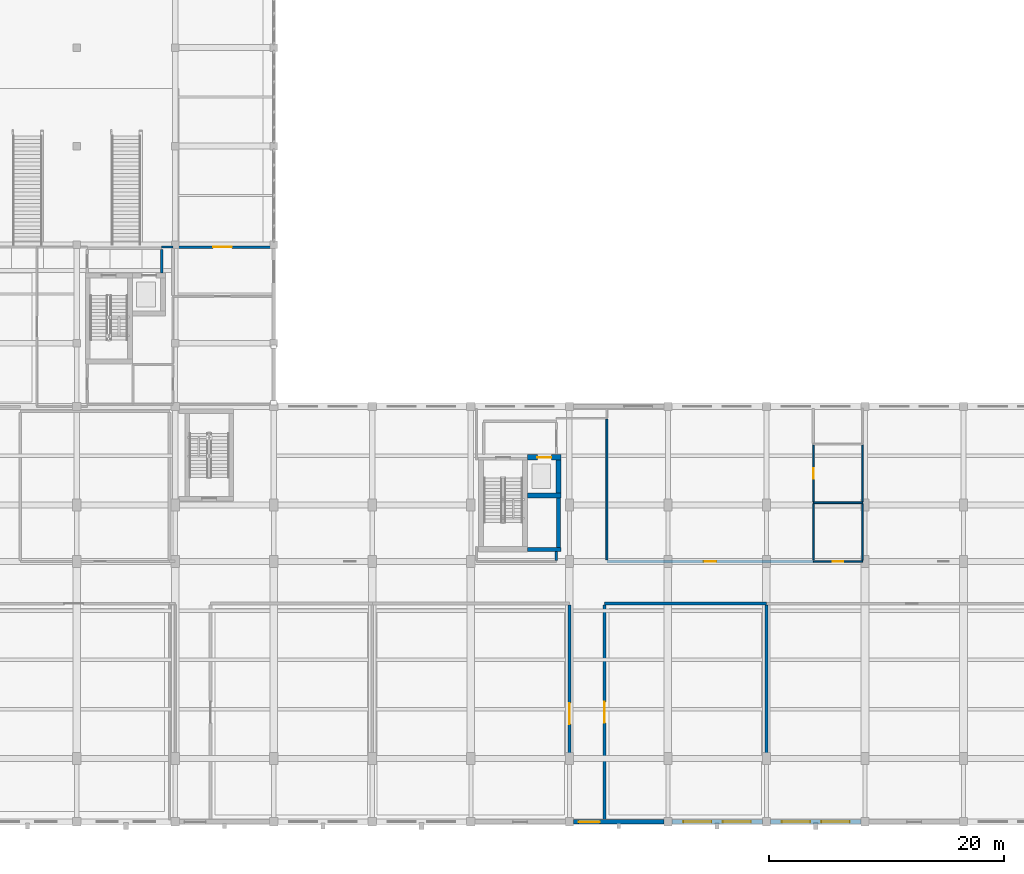
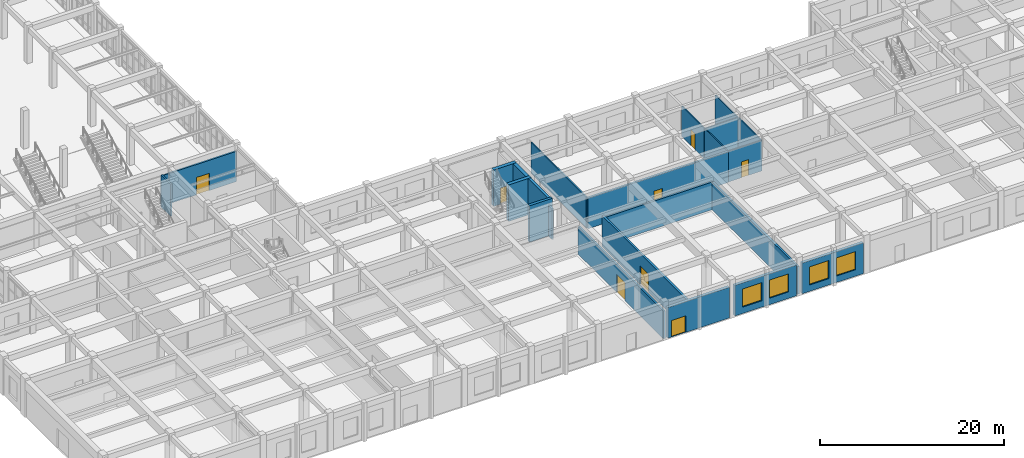
# One storey, part 58 of 80: 24 walls, 8 doors, 4 windows, 12 openings.
"""IFC4 building model written with IfcOpenShell, lengths in metres."""

from ifc_helpers import new_model, si_unit, direction, frame, frame_2d, origin, place, context, subcontext, project, spatial, rectangle, extrude, material, layer, layer_set, type_object, element, fill, save


model = new_model("IFC4")

# Units and contexts
model_context = context("Model", 3, precision=1e-05, world=origin(), true_north=direction((0.0, 1.0)))
body_context = subcontext(model_context, "Body", "Model", "MODEL_VIEW")
ifc_project = project(units=[si_unit("LENGTHUNIT", "METRE"), si_unit("AREAUNIT", "SQUARE_METRE"), si_unit("VOLUMEUNIT", "CUBIC_METRE"), si_unit("PLANEANGLEUNIT", "RADIAN"), si_unit("MASSUNIT", "GRAM", prefix="KILO")], contexts=[model_context])

# Site, building, storey
site_placement = place(None, origin())
site = spatial("IfcSite", under=ifc_project, at=site_placement, CompositionType="ELEMENT")
building_placement = place(site_placement, origin())
building = spatial("IfcBuilding", under=site, at=building_placement, Name="Krzemoval Escarpment Law Courts", CompositionType="ELEMENT")
storey_placement = place(building_placement, origin())
storey = spatial("IfcBuildingStorey", under=building, at=storey_placement, Name="L00", CompositionType="ELEMENT", Elevation=0.0)

# Wall, openings, windows
ifc_material_1 = material(Name="Precast concrete C40/50", Category="concrete")
ifc_layer_1 = layer(ifc_material_1, 0.360107421875)
ifc_layer_set_1 = layer_set([ifc_layer_1], Name="Precast concrete C40/50")
wall_type_1 = type_object("IfcWallType", Name="WL-EXT-360", PredefinedType="SOLIDWALL", material=ifc_layer_set_1)
wall_1_placement = place(storey_placement, frame((92.050048828125, 0.0, 0.0), z_axis=(0.0, 0.0, 1.0), x_axis=(-1.0, 0.0, 0.0)))
wall_1 = element("IfcWall", 1, at=wall_1_placement, inside=storey, type_object=wall_type_1, Name="Exterior Wall EW-L00-0136", PredefinedType="SOLIDWALL", context=body_context, shape_type="SweptSolid", body=[
    extrude(rectangle(XDim=7.699951171875, YDim=0.360107421875, at=frame_2d((3.85009765625, 0.0))), origin(), (0.0, 0.0, 1.0), 4.070068359375),
])
opening_1_placement = place(wall_1_placement, frame((0.967041015625, 0.0, 0.85009765625)))
opening_1 = element("IfcOpeningElement", 2, at=opening_1_placement, cuts=wall_1, Name="Opening WN-L00-0090", PredefinedType="OPENING", context=body_context, shape_type="SweptSolid", body=[
    extrude(rectangle(XDim=2.39990234375, YDim=2.39990234375, at=frame_2d((1.199951171875, 1.199951171875))), frame((0.0, 0.19505, 0.0), z_axis=(0.0, -1.0, 0.0), x_axis=(1.0, 0.0, 0.0)), (0.0, 0.0, 1.0), 0.39011),
])
opening_2_placement = place(wall_1_placement, frame((4.3330078125, 0.0, 0.85009765625)))
opening_2 = element("IfcOpeningElement", 3, at=opening_2_placement, cuts=wall_1, Name="Opening WN-L00-0091", PredefinedType="OPENING", context=body_context, shape_type="SweptSolid", body=[
    extrude(rectangle(XDim=2.39990234375, YDim=2.39990234375, at=frame_2d((1.199951171875, 1.199951171875))), frame((0.0, 0.19505, 0.0), z_axis=(0.0, -1.0, 0.0), x_axis=(1.0, 0.0, 0.0)), (0.0, 0.0, 1.0), 0.39011),
])
ifc_material_2 = material(Name="Thermally Broken Aluminium Frame with Triple Low-E Acoustic Glass", Category="aluminium")
window_type = type_object("IfcWindowType", Name="WN-2400x2400", PartitioningType="SINGLE_PANEL", PredefinedType="WINDOW", material=ifc_material_2)
window_1_placement = place(opening_1_placement, origin())
window_1 = element("IfcWindow", 4, at=window_1_placement, inside=storey, type_object=window_type, Name="Facade Window WN-L00-0090", OverallHeight=2.39990234375, OverallWidth=2.39990234375, PartitioningType="SINGLE_PANEL", PredefinedType="WINDOW", context=body_context, shape_type="SweptSolid", body=[
    extrude(rectangle(XDim=2.39990234375, YDim=2.39990234375, at=frame_2d((1.199951171875, 1.199951171875))), frame((0.0, 0.030029296875, 0.0), z_axis=(0.0, -1.0, 0.0), x_axis=(1.0, 0.0, 0.0)), (0.0, 0.0, 1.0), 0.06005859375),
])
fill(opening_1, window_1)
window_2_placement = place(opening_2_placement, origin())
window_2 = element("IfcWindow", 5, at=window_2_placement, inside=storey, type_object=window_type, Name="Facade Window WN-L00-0091", OverallHeight=2.39990234375, OverallWidth=2.39990234375, PartitioningType="SINGLE_PANEL", PredefinedType="WINDOW", context=body_context, shape_type="SweptSolid", body=[
    extrude(rectangle(XDim=2.39990234375, YDim=2.39990234375, at=frame_2d((1.199951171875, 1.199951171875))), frame((0.0, 0.030029296875, 0.0), z_axis=(0.0, -1.0, 0.0), x_axis=(1.0, 0.0, 0.0)), (0.0, 0.0, 1.0), 0.06005859375),
])
fill(opening_2, window_2)

wall_2_placement = place(storey_placement, frame((83.64990234375, 0.0, 0.0), z_axis=(0.0, 0.0, 1.0), x_axis=(-1.0, 0.0, 0.0)))
wall_2 = element("IfcWall", 6, at=wall_2_placement, inside=storey, type_object=wall_type_1, Name="Exterior Wall EW-L00-0137", PredefinedType="SOLIDWALL", context=body_context, shape_type="SweptSolid", body=[
    extrude(rectangle(XDim=7.699951171875, YDim=0.360107421875, at=frame_2d((3.85009765625, 0.0))), origin(), (0.0, 0.0, 1.0), 4.070068359375),
])
opening_3_placement = place(wall_2_placement, frame((0.967041015625, 0.0, 0.85009765625)))
opening_3 = element("IfcOpeningElement", 7, at=opening_3_placement, cuts=wall_2, Name="Opening WN-L00-0092", PredefinedType="OPENING", context=body_context, shape_type="SweptSolid", body=[
    extrude(rectangle(XDim=2.39990234375, YDim=2.39990234375, at=frame_2d((1.199951171875, 1.199951171875))), frame((0.0, 0.19505, 0.0), z_axis=(0.0, -1.0, 0.0), x_axis=(1.0, 0.0, 0.0)), (0.0, 0.0, 1.0), 0.39011),
])
opening_4_placement = place(wall_2_placement, frame((4.3330078125, 0.0, 0.85009765625)))
opening_4 = element("IfcOpeningElement", 8, at=opening_4_placement, cuts=wall_2, Name="Opening WN-L00-0093", PredefinedType="OPENING", context=body_context, shape_type="SweptSolid", body=[
    extrude(rectangle(XDim=2.39990234375, YDim=2.39990234375, at=frame_2d((1.199951171875, 1.199951171875))), frame((0.0, 0.19505, 0.0), z_axis=(0.0, -1.0, 0.0), x_axis=(1.0, 0.0, 0.0)), (0.0, 0.0, 1.0), 0.39011),
])
window_3_placement = place(opening_3_placement, origin())
window_3 = element("IfcWindow", 9, at=window_3_placement, inside=storey, type_object=window_type, Name="Facade Window WN-L00-0092", OverallHeight=2.39990234375, OverallWidth=2.39990234375, PartitioningType="SINGLE_PANEL", PredefinedType="WINDOW", context=body_context, shape_type="SweptSolid", body=[
    extrude(rectangle(XDim=2.39990234375, YDim=2.39990234375, at=frame_2d((1.199951171875, 1.199951171875))), frame((0.0, 0.030029296875, 0.0), z_axis=(0.0, -1.0, 0.0), x_axis=(1.0, 0.0, 0.0)), (0.0, 0.0, 1.0), 0.06005859375),
])
fill(opening_3, window_3)
window_4_placement = place(opening_4_placement, origin())
window_4 = element("IfcWindow", 10, at=window_4_placement, inside=storey, type_object=window_type, Name="Facade Window WN-L00-0093", OverallHeight=2.39990234375, OverallWidth=2.39990234375, PartitioningType="SINGLE_PANEL", PredefinedType="WINDOW", context=body_context, shape_type="SweptSolid", body=[
    extrude(rectangle(XDim=2.39990234375, YDim=2.39990234375, at=frame_2d((1.199951171875, 1.199951171875))), frame((0.0, 0.030029296875, 0.0), z_axis=(0.0, -1.0, 0.0), x_axis=(1.0, 0.0, 0.0)), (0.0, 0.0, 1.0), 0.06005859375),
])
fill(opening_4, window_4)

# Wall, opening, door
wall_3_placement = place(storey_placement, frame((75.25, 0.0, 0.0), z_axis=(0.0, 0.0, 1.0), x_axis=(-1.0, 0.0, 0.0)))
wall_3 = element("IfcWall", 11, at=wall_3_placement, inside=storey, type_object=wall_type_1, Name="Exterior Wall EW-L00-0138", PredefinedType="SOLIDWALL", context=body_context, shape_type="SweptSolid", body=[
    extrude(rectangle(XDim=7.699951171875, YDim=0.360107421875, at=frame_2d((3.85009765625, 0.0))), origin(), (0.0, 0.0, 1.0), 4.070068359375),
])
opening_5_placement = place(wall_3_placement, frame((5.449951171875, 0.0, 0.0)))
opening_5 = element("IfcOpeningElement", 12, at=opening_5_placement, cuts=wall_3, Name="Opening E04A", PredefinedType="OPENING", context=body_context, shape_type="SweptSolid", body=[
    extrude(rectangle(XDim=1.800048828125, YDim=2.199951171875, at=frame_2d((0.89990234375, 1.10009765625))), frame((0.0, 0.19505, 0.0), z_axis=(0.0, -1.0, 0.0), x_axis=(1.0, 0.0, 0.0)), (0.0, 0.0, 1.0), 0.39011),
])
ifc_material_3 = material(Name="Galvanised Steel S355", Category="steel")
door_type_1 = type_object("IfcDoorType", Name="DR-EXIT-1800x2200", OperationType="SINGLE_SWING_LEFT", PredefinedType="DOOR", material=ifc_material_3)
door_1_placement = place(opening_5_placement, origin())
door_1 = element("IfcDoor", 13, at=door_1_placement, inside=storey, type_object=door_type_1, Name="Final Exit Discharge Door E04A (Stair ST4 South Street)", OperationType="DOUBLE_DOOR_SINGLE_SWING", OverallHeight=2.199951171875, OverallWidth=1.800048828125, PredefinedType="DOOR", context=body_context, shape_type="SweptSolid", body=[
    extrude(rectangle(XDim=1.800048828125, YDim=2.199951171875, at=frame_2d((0.89990234375, 1.10009765625))), frame((0.0, 0.02490234375, 0.0), z_axis=(0.0, -1.0, 0.0), x_axis=(1.0, 0.0, 0.0)), (0.0, 0.0, 1.0), 0.050048828125),
])
fill(opening_5, door_1)

ifc_material_4 = material(Name="Sanitary Moisture-Resistant Partition", Category="gypsum")
ifc_layer_2 = layer(ifc_material_4, 0.139892578125)
ifc_layer_set_2 = layer_set([ifc_layer_2], Name="Sanitary Moisture-Resistant Partition")
wall_type_2 = type_object("IfcWallType", Name="WL-PRT-140", PredefinedType="PARTITIONING", material=ifc_layer_set_2)
wall_4_placement = place(storey_placement, frame((88.0, 22.199951171875, 0.0), z_axis=(0.0, 0.0, 1.0), x_axis=(1.0, 0.0, 0.0)))
wall_4 = element("IfcWall", 14, at=wall_4_placement, inside=storey, type_object=wall_type_2, Name="Interior Partition PW-L00-0097", PredefinedType="PARTITIONING", context=body_context, shape_type="SweptSolid", body=[
    extrude(rectangle(XDim=4.199951171875, YDim=0.139892578125, at=frame_2d((2.10009765625, 0.0))), origin(), (0.0, 0.0, 1.0), 4.070068359375),
])
opening_6_placement = place(wall_4_placement, frame((1.64990234375, 0.0, 0.0)))
opening_6 = element("IfcOpeningElement", 15, at=opening_6_placement, cuts=wall_4, Name="Opening D-L00-0051", PredefinedType="OPENING", context=body_context, shape_type="SweptSolid", body=[
    extrude(rectangle(XDim=0.89990234375, YDim=2.10009765625, at=frame_2d((0.449951171875, 1.050048828125))), frame((0.0, 0.08495, 0.0), z_axis=(0.0, -1.0, 0.0), x_axis=(1.0, 0.0, 0.0)), (0.0, 0.0, 1.0), 0.16989),
])
ifc_material_5 = material(Name="Engineered Solid-Core Oak Acoustic Timber", Category="wood")
door_type_2 = type_object("IfcDoorType", Name="DR-INT-900x2100", OperationType="SINGLE_SWING_LEFT", PredefinedType="DOOR", material=ifc_material_5)
door_2_placement = place(opening_6_placement, origin())
door_2 = element("IfcDoor", 16, at=door_2_placement, inside=storey, type_object=door_type_2, Name="Room Door D-L00-0051", OperationType="SINGLE_SWING_LEFT", OverallHeight=2.10009765625, OverallWidth=0.89990234375, PredefinedType="DOOR", context=body_context, shape_type="SweptSolid", body=[
    extrude(rectangle(XDim=0.89990234375, YDim=2.10009765625, at=frame_2d((0.449951171875, 1.050048828125))), frame((0.0, 0.02490234375, 0.0), z_axis=(0.0, -1.0, 0.0), x_axis=(1.0, 0.0, 0.0)), (0.0, 0.0, 1.0), 0.050048828125),
])
fill(opening_6, door_2)

# Walls
wall_5_placement = place(storey_placement, frame((88.0, 27.199951171875, 0.0), z_axis=(0.0, 0.0, 1.0), x_axis=(1.0, 0.0, 0.0)))
element("IfcWall", 17, at=wall_5_placement, inside=storey, type_object=wall_type_2, Name="Interior Partition PW-L00-0102", PredefinedType="PARTITIONING", context=body_context, shape_type="SweptSolid", body=[
    extrude(rectangle(XDim=4.199951171875, YDim=0.139892578125, at=frame_2d((2.10009765625, 0.0))), origin(), (0.0, 0.0, 1.0), 4.070068359375),
])
wall_6_placement = place(storey_placement, frame((88.0, 22.33203125, 0.0), z_axis=(0.0, 0.0, 1.0), x_axis=(0.0, 1.0, 0.0)))
element("IfcWall", 18, at=wall_6_placement, inside=storey, type_object=wall_type_2, Name="Interior Partition PW-L00-0185", PredefinedType="PARTITIONING", context=body_context, shape_type="SweptSolid", body=[
    extrude(rectangle(XDim=4.7958984375, YDim=0.139892578125, at=frame_2d((2.39794921875, 0.0))), origin(), (0.0, 0.0, 1.0), 4.070068359375),
])

# Wall, opening, door
wall_7_placement = place(storey_placement, frame((88.0, 27.27197265625, 0.0), z_axis=(0.0, 0.0, 1.0), x_axis=(0.0, 1.0, 0.0)))
wall_7 = element("IfcWall", 19, at=wall_7_placement, inside=storey, type_object=wall_type_2, Name="Interior Partition PW-L00-0186", PredefinedType="PARTITIONING", context=body_context, shape_type="SweptSolid", body=[
    extrude(rectangle(XDim=4.85595703125, YDim=0.139892578125, at=frame_2d((2.427978515625, 0.0))), origin(), (0.0, 0.0, 1.0), 4.070068359375),
])
opening_7_placement = place(wall_7_placement, frame((1.97802734375, 0.0, 0.0)))
opening_7 = element("IfcOpeningElement", 20, at=opening_7_placement, cuts=wall_7, Name="Opening D-L00-0052", PredefinedType="OPENING", context=body_context, shape_type="SweptSolid", body=[
    extrude(rectangle(XDim=0.89990234375, YDim=2.10009765625, at=frame_2d((0.449951171875, 1.050048828125))), frame((0.0, 0.08495, 0.0), z_axis=(0.0, -1.0, 0.0), x_axis=(1.0, 0.0, 0.0)), (0.0, 0.0, 1.0), 0.16989),
])
door_3_placement = place(opening_7_placement, origin())
door_3 = element("IfcDoor", 21, at=door_3_placement, inside=storey, type_object=door_type_2, Name="Room Door D-L00-0052", OperationType="SINGLE_SWING_RIGHT", OverallHeight=2.10009765625, OverallWidth=0.89990234375, PredefinedType="DOOR", context=body_context, shape_type="SweptSolid", body=[
    extrude(rectangle(XDim=0.89990234375, YDim=2.10009765625, at=frame_2d((0.449951171875, 1.050048828125))), frame((0.0, 0.02490234375, 0.0), z_axis=(0.0, -1.0, 0.0), x_axis=(1.0, 0.0, 0.0)), (0.0, 0.0, 1.0), 0.050048828125),
])
fill(opening_7, door_3)

# Walls
wall_8_placement = place(storey_placement, frame((92.199951171875, 22.31201171875, 0.0), z_axis=(0.0, 0.0, 1.0), x_axis=(0.0, 1.0, 0.0)))
element("IfcWall", 22, at=wall_8_placement, inside=storey, type_object=wall_type_2, Name="Interior Partition PW-L00-0187", PredefinedType="PARTITIONING", context=body_context, shape_type="SweptSolid", body=[
    extrude(rectangle(XDim=4.81591796875, YDim=0.139892578125, at=frame_2d((2.407958984375, 0.0))), origin(), (0.0, 0.0, 1.0), 4.070068359375),
])
wall_9_placement = place(storey_placement, frame((92.199951171875, 27.27197265625, 0.0), z_axis=(0.0, 0.0, 1.0), x_axis=(0.0, 1.0, 0.0)))
element("IfcWall", 23, at=wall_9_placement, inside=storey, type_object=wall_type_2, Name="Interior Partition PW-L00-0188", PredefinedType="PARTITIONING", context=body_context, shape_type="SweptSolid", body=[
    extrude(rectangle(XDim=4.85595703125, YDim=0.139892578125, at=frame_2d((2.427978515625, 0.0))), origin(), (0.0, 0.0, 1.0), 4.02001953125),
])
ifc_material_6 = material(Name="Jury Suite Partition Assembly", Category="gypsum")
ifc_layer_3 = layer(ifc_material_6, 0.159912109375)
ifc_layer_set_3 = layer_set([ifc_layer_3], Name="Jury Suite Partition Assembly")
wall_type_3 = type_object("IfcWallType", Name="WL-PRT-160", PredefinedType="PARTITIONING", material=ifc_layer_set_3)
wall_10_placement = place(storey_placement, frame((70.39990234375, 22.33203125, 0.0), z_axis=(0.0, 0.0, 1.0), x_axis=(0.0, 1.0, 0.0)))
element("IfcWall", 24, at=wall_10_placement, inside=storey, type_object=wall_type_3, Name="Interior Partition PW-L00-0180", PredefinedType="PARTITIONING", context=body_context, shape_type="SweptSolid", body=[
    extrude(rectangle(XDim=12.008056640625, YDim=0.159912109375, at=frame_2d((6.00390625, 0.0))), origin(), (0.0, 0.0, 1.0), 4.070068359375),
])
ifc_material_7 = material(Name="Judicial Chambers Acoustic Partition", Category="gypsum")
ifc_layer_4 = layer(ifc_material_7, 0.179931640625)
ifc_layer_set_4 = layer_set([ifc_layer_4], Name="Judicial Chambers Acoustic Partition")
wall_type_4 = type_object("IfcWallType", Name="WL-PRT-180", PredefinedType="PARTITIONING", material=ifc_layer_set_4)
wall_11_placement = place(storey_placement, frame((32.449951171875, 49.0, 0.0), z_axis=(0.0, 0.0, 1.0), x_axis=(1.0, 0.0, 0.0)))
element("IfcWall", 25, at=wall_11_placement, inside=storey, type_object=wall_type_4, Name="Interior Partition PW-L00-0126", PredefinedType="PARTITIONING", context=body_context, shape_type="SweptSolid", body=[
    extrude(rectangle(XDim=0.949951171875, YDim=0.179931640625, at=frame_2d((0.47509765625, 0.0))), origin(), (0.0, 0.0, 1.0), 4.02001953125),
])
ifc_material_8 = material(Name="Fire-Rated Corridor Partition Wall", Category="gypsum")
ifc_layer_5 = layer(ifc_material_8, 0.199951171875)
ifc_layer_set_5 = layer_set([ifc_layer_5], Name="Fire-Rated Corridor Partition Wall")
wall_type_5 = type_object("IfcWallType", Name="WL-PRT-200", PredefinedType="PARTITIONING", material=ifc_layer_set_5)
wall_12_placement = place(storey_placement, frame((32.449951171875, 46.77197265625, 0.0), z_axis=(0.0, 0.0, 1.0), x_axis=(0.0, 1.0, 0.0)))
element("IfcWall", 26, at=wall_12_placement, inside=storey, type_object=wall_type_5, Name="Interior Partition PW-L00-0162", PredefinedType="PARTITIONING", context=body_context, shape_type="SweptSolid", body=[
    extrude(rectangle(XDim=2.026123046875, YDim=0.199951171875, at=frame_2d((1.01318359375, 0.0))), origin(), (0.0, 0.0, 1.0), 4.27001953125),
])

# Wall, opening, door
ifc_material_9 = material(Name="Solid Calcium-Silicate Custody Blockwork Partition", Category="masonry")
ifc_layer_6 = layer(ifc_material_9, 0.219970703125)
ifc_layer_set_6 = layer_set([ifc_layer_6], Name="Solid Calcium-Silicate Custody Blockwork Partition")
wall_type_6 = type_object("IfcWallType", Name="WL-PRT-220", PredefinedType="PARTITIONING", material=ifc_layer_set_6)
wall_13_placement = place(storey_placement, frame((33.39990234375, 49.0, 0.0), z_axis=(0.0, 0.0, 1.0), x_axis=(1.0, 0.0, 0.0)))
wall_13 = element("IfcWall", 27, at=wall_13_placement, inside=storey, type_object=wall_type_6, Name="Interior Partition PW-L00-0125", PredefinedType="PARTITIONING", context=body_context, shape_type="SweptSolid", body=[
    extrude(rectangle(XDim=8.47021484375, YDim=0.219970703125, at=frame_2d((4.235107421875, 0.0))), origin(), (0.0, 0.0, 1.0), 4.02001953125),
])
opening_8_placement = place(wall_13_placement, frame((3.43505859375, 0.0, 0.0)))
opening_8 = element("IfcOpeningElement", 28, at=opening_8_placement, cuts=wall_13, Name="Opening D-L00-0064", PredefinedType="OPENING", context=body_context, shape_type="SweptSolid", body=[
    extrude(rectangle(XDim=1.60009765625, YDim=2.300048828125, at=frame_2d((0.800048828125, 1.14990234375))), frame((0.0, 0.12499, 0.0), z_axis=(0.0, -1.0, 0.0), x_axis=(1.0, 0.0, 0.0)), (0.0, 0.0, 1.0), 0.24997),
])
ifc_material_10 = material(Name="Engineered Solid-Core Oak Acoustic Timber", Category="wood")
door_type_3 = type_object("IfcDoorType", Name="DR-CRT-1600x2300", OperationType="SINGLE_SWING_LEFT", PredefinedType="DOOR", material=ifc_material_10)
door_4_placement = place(opening_8_placement, origin())
door_4 = element("IfcDoor", 29, at=door_4_placement, inside=storey, type_object=door_type_3, Name="Room Door D-L00-0064", OperationType="SINGLE_SWING_LEFT", OverallHeight=2.300048828125, OverallWidth=1.60009765625, PredefinedType="DOOR", context=body_context, shape_type="SweptSolid", body=[
    extrude(rectangle(XDim=1.60009765625, YDim=2.300048828125, at=frame_2d((0.800048828125, 1.14990234375))), frame((0.0, 0.02490234375, 0.0), z_axis=(0.0, -1.0, 0.0), x_axis=(1.0, 0.0, 0.0)), (0.0, 0.0, 1.0), 0.050048828125),
])
fill(opening_8, door_4)

# Walls
wall_14_placement = place(storey_placement, frame((66.10009765625, 22.259033203125, 0.0), z_axis=(0.0, 0.0, 1.0), x_axis=(0.0, 1.0, 0.0)))
element("IfcWall", 30, at=wall_14_placement, inside=storey, type_object=wall_type_6, Name="Interior Partition PW-L00-0177", PredefinedType="PARTITIONING", context=body_context, shape_type="SweptSolid", body=[
    extrude(rectangle(XDim=0.7890625, YDim=0.219970703125, at=frame_2d((0.39453125, 0.0))), origin(), (0.0, 0.0, 1.0), 4.070068359375),
])
ifc_material_11 = material(Name="Acoustic Courtroom Partition Assembly", Category="gypsum")
ifc_layer_7 = layer(ifc_material_11, 0.239990234375)
ifc_layer_set_7 = layer_set([ifc_layer_7], Name="Acoustic Courtroom Partition Assembly")
wall_type_7 = type_object("IfcWallType", Name="WL-PRT-240", PredefinedType="PARTITIONING", material=ifc_layer_set_7)
wall_15_placement = place(storey_placement, frame((70.199951171875, 18.60009765625, 0.0), z_axis=(0.0, 0.0, 1.0), x_axis=(1.0, 0.0, 0.0)))
element("IfcWall", 31, at=wall_15_placement, inside=storey, type_object=wall_type_7, Name="Interior Partition PW-L00-0086", PredefinedType="PARTITIONING", context=body_context, shape_type="SweptSolid", body=[
    extrude(rectangle(XDim=13.800048828125, YDim=0.239990234375, at=frame_2d((6.89990234375, 0.0))), origin(), (0.0, 0.0, 1.0), 3.669921875),
])

# Wall, opening, door
wall_16_placement = place(storey_placement, frame((67.199951171875, -0.028076171875, 0.0), z_axis=(0.0, 0.0, 1.0), x_axis=(0.0, 1.0, 0.0)))
wall_16 = element("IfcWall", 32, at=wall_16_placement, inside=storey, type_object=wall_type_7, Name="Interior Partition PW-L00-0178", PredefinedType="PARTITIONING", context=body_context, shape_type="SweptSolid", body=[
    extrude(rectangle(XDim=18.49609375, YDim=0.239990234375, at=frame_2d((9.248046875, 0.0))), origin(), (0.0, 0.0, 1.0), 3.669921875),
])
opening_9_placement = place(wall_16_placement, frame((8.347900390625, 0.0, 0.0)))
opening_9 = element("IfcOpeningElement", 33, at=opening_9_placement, cuts=wall_16, Name="Opening D-L00-0046", PredefinedType="OPENING", context=body_context, shape_type="SweptSolid", body=[
    extrude(rectangle(XDim=1.800048828125, YDim=2.39990234375, at=frame_2d((0.89990234375, 1.199951171875))), frame((0.0, 0.135, 0.0), z_axis=(0.0, -1.0, 0.0), x_axis=(1.0, 0.0, 0.0)), (0.0, 0.0, 1.0), 0.26999),
])
ifc_material_12 = material(Name="Engineered Solid-Core Oak Acoustic Timber", Category="wood")
door_type_4 = type_object("IfcDoorType", Name="DR-CRT-1800x2400", OperationType="SINGLE_SWING_LEFT", PredefinedType="DOOR", material=ifc_material_12)
door_5_placement = place(opening_9_placement, origin())
door_5 = element("IfcDoor", 34, at=door_5_placement, inside=storey, type_object=door_type_4, Name="Room Door D-L00-0046", OperationType="SINGLE_SWING_LEFT", OverallHeight=2.39990234375, OverallWidth=1.800048828125, PredefinedType="DOOR", context=body_context, shape_type="SweptSolid", body=[
    extrude(rectangle(XDim=1.800048828125, YDim=2.39990234375, at=frame_2d((0.89990234375, 1.199951171875))), frame((0.0, 0.02490234375, 0.0), z_axis=(0.0, -1.0, 0.0), x_axis=(1.0, 0.0, 0.0)), (0.0, 0.0, 1.0), 0.050048828125),
])
fill(opening_9, door_5)

ifc_material_13 = material(Name="Acoustic Double-Stud Gypsum and Mineral Wool Wall", Category="gypsum")
ifc_layer_8 = layer(ifc_material_13, 0.260009765625)
ifc_layer_set_8 = layer_set([ifc_layer_8], Name="Acoustic Double-Stud Gypsum and Mineral Wool Wall")
wall_type_8 = type_object("IfcWallType", Name="WL-PRT-260", PredefinedType="PARTITIONING", material=ifc_layer_set_8)
wall_17_placement = place(storey_placement, frame((70.39990234375, 22.199951171875, 0.0), z_axis=(0.0, 0.0, 1.0), x_axis=(1.0, 0.0, 0.0)))
wall_17 = element("IfcWall", 35, at=wall_17_placement, inside=storey, type_object=wall_type_8, Name="Interior Partition PW-L00-0096", PredefinedType="PARTITIONING", context=body_context, shape_type="SweptSolid", body=[
    extrude(rectangle(XDim=17.60009765625, YDim=0.260009765625, at=frame_2d((8.800048828125, 0.0))), origin(), (0.0, 0.0, 1.0), 4.070068359375),
])
opening_10_placement = place(wall_17_placement, frame((8.27490234375, 0.0, 0.0)))
opening_10 = element("IfcOpeningElement", 36, at=opening_10_placement, cuts=wall_17, Name="Opening D-L00-0050", PredefinedType="OPENING", context=body_context, shape_type="SweptSolid", body=[
    extrude(rectangle(XDim=1.050048828125, YDim=2.10009765625, at=frame_2d((0.52490234375, 1.050048828125))), frame((0.0, 0.145, 0.0), z_axis=(0.0, -1.0, 0.0), x_axis=(1.0, 0.0, 0.0)), (0.0, 0.0, 1.0), 0.29001),
])
ifc_material_14 = material(Name="Engineered Solid-Core Oak Acoustic Timber", Category="wood")
door_type_5 = type_object("IfcDoorType", Name="DR-INT-1050x2100", OperationType="SINGLE_SWING_LEFT", PredefinedType="DOOR", material=ifc_material_14)
door_6_placement = place(opening_10_placement, origin())
door_6 = element("IfcDoor", 37, at=door_6_placement, inside=storey, type_object=door_type_5, Name="Room Door D-L00-0050", OperationType="SINGLE_SWING_RIGHT", OverallHeight=2.10009765625, OverallWidth=1.050048828125, PredefinedType="DOOR", context=body_context, shape_type="SweptSolid", body=[
    extrude(rectangle(XDim=1.050048828125, YDim=2.10009765625, at=frame_2d((0.52490234375, 1.050048828125))), frame((0.0, 0.02490234375, 0.0), z_axis=(0.0, -1.0, 0.0), x_axis=(1.0, 0.0, 0.0)), (0.0, 0.0, 1.0), 0.050048828125),
])
fill(opening_10, door_6)

wall_18_placement = place(storey_placement, frame((70.199951171875, 0.181884765625, 0.0), z_axis=(0.0, 0.0, 1.0), x_axis=(0.0, 1.0, 0.0)))
wall_18 = element("IfcWall", 38, at=wall_18_placement, inside=storey, type_object=wall_type_8, Name="Interior Partition PW-L00-0179", PredefinedType="PARTITIONING", context=body_context, shape_type="SweptSolid", body=[
    extrude(rectangle(XDim=18.296142578125, YDim=0.260009765625, at=frame_2d((9.14794921875, 0.0))), origin(), (0.0, 0.0, 1.0), 4.070068359375),
])
opening_11_placement = place(wall_18_placement, frame((8.248046875, 0.0, 0.0)))
opening_11 = element("IfcOpeningElement", 39, at=opening_11_placement, cuts=wall_18, Name="Opening D-L00-0047", PredefinedType="OPENING", context=body_context, shape_type="SweptSolid", body=[
    extrude(rectangle(XDim=1.800048828125, YDim=2.39990234375, at=frame_2d((0.89990234375, 1.199951171875))), frame((0.0, 0.145, 0.0), z_axis=(0.0, -1.0, 0.0), x_axis=(1.0, 0.0, 0.0)), (0.0, 0.0, 1.0), 0.29001),
])
door_7_placement = place(opening_11_placement, origin())
door_7 = element("IfcDoor", 40, at=door_7_placement, inside=storey, type_object=door_type_4, Name="Room Door D-L00-0047", OperationType="SINGLE_SWING_LEFT", OverallHeight=2.39990234375, OverallWidth=1.800048828125, PredefinedType="DOOR", context=body_context, shape_type="SweptSolid", body=[
    extrude(rectangle(XDim=1.800048828125, YDim=2.39990234375, at=frame_2d((0.89990234375, 1.199951171875))), frame((0.0, 0.02490234375, 0.0), z_axis=(0.0, -1.0, 0.0), x_axis=(1.0, 0.0, 0.0)), (0.0, 0.0, 1.0), 0.050048828125),
])
fill(opening_11, door_7)

# Walls
wall_19_placement = place(storey_placement, frame((84.0, -0.028076171875, 0.0), z_axis=(0.0, 0.0, 1.0), x_axis=(0.0, 1.0, 0.0)))
element("IfcWall", 41, at=wall_19_placement, inside=storey, type_object=wall_type_8, Name="Interior Partition PW-L00-0183", PredefinedType="PARTITIONING", context=body_context, shape_type="SweptSolid", body=[
    extrude(rectangle(XDim=18.506103515625, YDim=0.260009765625, at=frame_2d((9.2529296875, 0.0))), origin(), (0.0, 0.0, 1.0), 3.669921875),
])
ifc_material_15 = material(Name="Concrete C40/50", Category="concrete")
ifc_layer_9 = layer(ifc_material_15, 0.35009765625)
ifc_layer_set_9 = layer_set([ifc_layer_9], Name="Concrete C40/50")
wall_type_9 = type_object("IfcWallType", Name="WL-SHW-350", PredefinedType="SHEAR", material=ifc_layer_set_9)
wall_20_placement = place(storey_placement, frame((63.64990234375, 23.22509765625, 0.0), z_axis=(0.0, 0.0, 1.0), x_axis=(1.0, 0.0, 0.0)))
element("IfcWall", 42, at=wall_20_placement, inside=storey, type_object=wall_type_9, Name="Riser Shaft Wall SW-L00-0467", PredefinedType="SHEAR", context=body_context, shape_type="SweptSolid", body=[
    extrude(rectangle(XDim=2.85009765625, YDim=0.35009765625, at=frame_2d((1.425048828125, 0.0))), origin(), (0.0, 0.0, 1.0), 4.820068359375),
])
wall_21_placement = place(storey_placement, frame((66.27490234375, 23.39501953125, 0.0), z_axis=(0.0, 0.0, 1.0), x_axis=(0.0, 1.0, 0.0)))
element("IfcWall", 43, at=wall_21_placement, inside=storey, type_object=wall_type_9, Name="Riser Shaft Wall SW-L00-0468", PredefinedType="SHEAR", context=body_context, shape_type="SweptSolid", body=[
    extrude(rectangle(XDim=4.661865234375, YDim=0.35009765625, at=frame_2d((2.3310546875, 0.0))), origin(), (0.0, 0.0, 1.0), 4.820068359375),
])
ifc_material_16 = material(Name="Concrete C40/50", Category="concrete")
ifc_layer_10 = layer(ifc_material_16, 0.449951171875)
ifc_layer_set_10 = layer_set([ifc_layer_10], Name="Concrete C40/50")
wall_type_10 = type_object("IfcWallType", Name="WL-SHW-450", PredefinedType="SHEAR", material=ifc_layer_set_10)
wall_22_placement = place(storey_placement, frame((63.652099609375, 27.824951171875, 0.0), z_axis=(0.0, 0.0, 1.0), x_axis=(1.0, 0.0, 0.0)))
element("IfcWall", 44, at=wall_22_placement, inside=storey, type_object=wall_type_10, Name="Lift Shaft Shear Wall SW-L00-0464", PredefinedType="SHEAR", context=body_context, shape_type="SweptSolid", body=[
    extrude(rectangle(XDim=2.847900390625, YDim=0.449951171875, at=frame_2d((1.423828125, 0.0))), origin(), (0.0, 0.0, 1.0), 4.820068359375),
])

# Wall, opening, door
wall_23_placement = place(storey_placement, frame((63.64990234375, 31.074951171875, 0.0), z_axis=(0.0, 0.0, 1.0), x_axis=(1.0, 0.0, 0.0)))
wall_23 = element("IfcWall", 45, at=wall_23_placement, inside=storey, type_object=wall_type_10, Name="Lift Shaft Shear Wall SW-L00-0465", PredefinedType="SHEAR", context=body_context, shape_type="SweptSolid", body=[
    extrude(rectangle(XDim=2.85009765625, YDim=0.449951171875, at=frame_2d((1.425048828125, 0.0))), origin(), (0.0, 0.0, 1.0), 4.820068359375),
])
opening_12_placement = place(wall_23_placement, frame((0.824951171875, 0.0, 0.0)))
opening_12 = element("IfcOpeningElement", 46, at=opening_12_placement, cuts=wall_23, Name="Opening LD-PL3-L00", PredefinedType="OPENING", context=body_context, shape_type="SweptSolid", body=[
    extrude(rectangle(XDim=1.199951171875, YDim=2.14990234375, at=frame_2d((0.60009765625, 1.074951171875))), frame((0.0, 0.23998, 0.0), z_axis=(0.0, -1.0, 0.0), x_axis=(1.0, 0.0, 0.0)), (0.0, 0.0, 1.0), 0.47995),
])
ifc_material_17 = material(Name="Engineered Solid-Core Oak Acoustic Timber", Category="wood")
door_type_6 = type_object("IfcDoorType", Name="DR-LFT-1200x2150", OperationType="SINGLE_SWING_LEFT", PredefinedType="DOOR", material=ifc_material_17)
door_8_placement = place(opening_12_placement, origin())
door_8 = element("IfcDoor", 47, at=door_8_placement, inside=storey, type_object=door_type_6, Name="Lift Landing Door LD-PL3-L00", OperationType="DOUBLE_DOOR_SLIDING", OverallHeight=2.14990234375, OverallWidth=1.199951171875, PredefinedType="DOOR", context=body_context, shape_type="SweptSolid", body=[
    extrude(rectangle(XDim=1.199951171875, YDim=2.14990234375, at=frame_2d((0.60009765625, 1.074951171875))), frame((0.0, 0.02490234375, 0.0), z_axis=(0.0, -1.0, 0.0), x_axis=(1.0, 0.0, 0.0)), (0.0, 0.0, 1.0), 0.050048828125),
])
fill(opening_12, door_8)

# Wall
wall_24_placement = place(storey_placement, frame((66.27490234375, 28.052001953125, 0.0), z_axis=(0.0, 0.0, 1.0), x_axis=(0.0, 1.0, 0.0)))
element("IfcWall", 48, at=wall_24_placement, inside=storey, type_object=wall_type_10, Name="Lift Shaft Shear Wall SW-L00-0466", PredefinedType="SHEAR", context=body_context, shape_type="SweptSolid", body=[
    extrude(rectangle(XDim=2.7958984375, YDim=0.449951171875, at=frame_2d((1.39794921875, 0.0))), origin(), (0.0, 0.0, 1.0), 4.820068359375),
])

save(model, "model.ifc")
